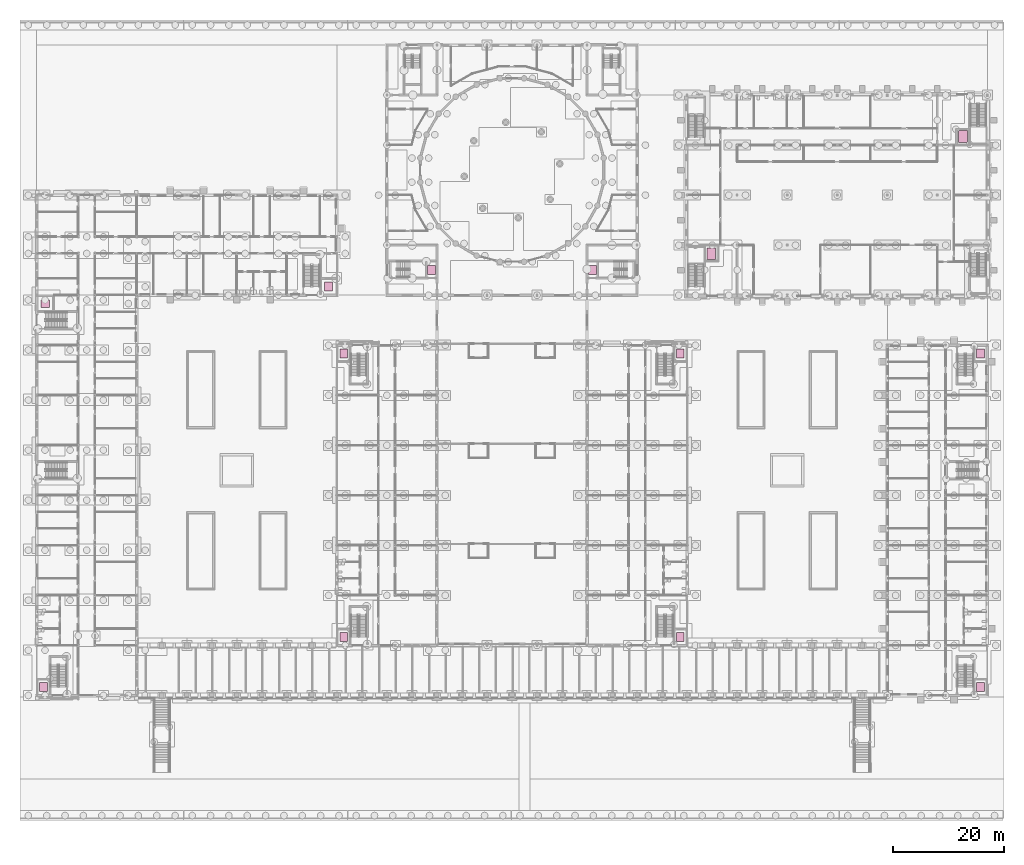
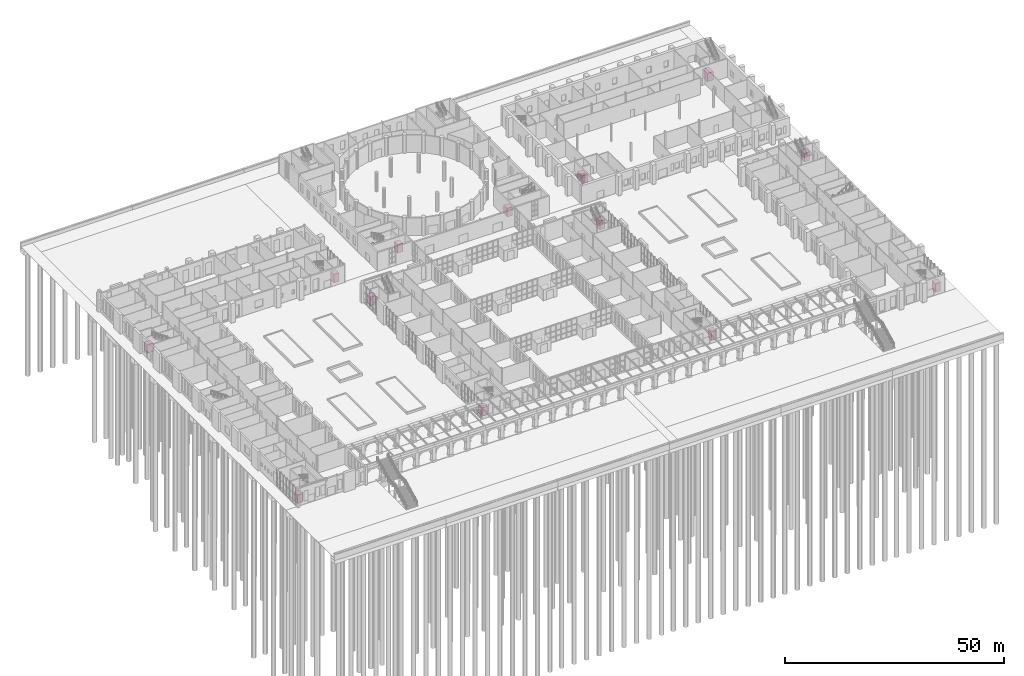
# One storey, part 168 of 168: 13 transport elements.
"""IFC4 building model written with IfcOpenShell, lengths in metres."""

from ifc_helpers import new_model, si_unit, direction, frame, origin, origin_2d, place, context, subcontext, project, spatial, rectangle, extrude, material, type_object, element, save


model = new_model("IFC4")

# Units and contexts
model_context = context("Model", 3, precision=1e-05, world=origin(), true_north=direction((0.0, 1.0)))
body_context = subcontext(model_context, "Body", "Model", "MODEL_VIEW")
ifc_project = project(units=[si_unit("LENGTHUNIT", "METRE"), si_unit("AREAUNIT", "SQUARE_METRE"), si_unit("VOLUMEUNIT", "CUBIC_METRE"), si_unit("PLANEANGLEUNIT", "RADIAN"), si_unit("MASSUNIT", "GRAM", prefix="KILO")], contexts=[model_context])

# Site, building, storey
site_placement = place(None, origin())
site = spatial("IfcSite", under=ifc_project, at=site_placement, CompositionType="ELEMENT")
building_placement = place(site_placement, origin())
building = spatial("IfcBuilding", under=site, at=building_placement, Name="Golden Quay Civic Hall", CompositionType="ELEMENT")
storey_placement = place(building_placement, origin())
storey = spatial("IfcBuildingStorey", under=building, at=storey_placement, Name="L00", CompositionType="ELEMENT", Elevation=0.0)

# Transport elements
ifc_material_1 = material(Name="Steel", Category="steel")
transport_element_type_1 = type_object("IfcTransportElementType", Name="Passenger lift 1000 kg 1400 x 1600", PredefinedType="ELEVATOR", material=ifc_material_1)
transport_element_1_placement = place(storey_placement, frame((1.22509765625, -7.5, 0.0), z_axis=(0.0, 0.0, 1.0), x_axis=(1.0, 0.0, 0.0)))
element("IfcTransportElement", 1, at=transport_element_1_placement, inside=storey, type_object=transport_element_type_1, Name="Lift WO-S", PredefinedType="ELEVATOR", context=body_context, shape_type="SweptSolid", body=[
    extrude(rectangle(XDim=1.39990234375, YDim=1.60009765625, at=origin_2d()), origin(), (0.0, 0.0, 1.0), 2.39990234375),
])
transport_element_2_placement = place(storey_placement, frame((1.550048828125, 61.47509765625, 0.0), z_axis=(0.0, 0.0, 1.0), x_axis=(1.0, 0.0, 0.0)))
element("IfcTransportElement", 2, at=transport_element_2_placement, inside=storey, type_object=transport_element_type_1, Name="Lift WO-N", PredefinedType="ELEVATOR", context=body_context, shape_type="SweptSolid", body=[
    extrude(rectangle(XDim=1.60009765625, YDim=1.39990234375, at=origin_2d()), origin(), (0.0, 0.0, 1.0), 2.39990234375),
])
for number, where, z_axis, x_axis, name in (
    (3, (52.487548828125, 64.550048828125, 0.0), (0.0, 0.0, 1.0), (1.0, 0.0, 0.0), "Lift NW-E"),
    (4, (55.22509765625, 1.5, 0.0), (0.0, 0.0, 1.0), (1.0, 0.0, 0.0), "Lift WM-S"),
    (5, (55.22509765625, 52.5, 0.0), (0.0, 0.0, 1.0), (1.0, 0.0, 0.0), "Lift WM-N"),
    (6, (115.77490234375, 1.5, 0.0), (0.0, 0.0, 1.0), (1.0, 0.0, 0.0), "Lift EM-S"),
    (7, (115.77490234375, 52.5, 0.0), (0.0, 0.0, 1.0), (1.0, 0.0, 0.0), "Lift EM-N"),
    (8, (169.77490234375, -7.5, 0.0), (0.0, 0.0, 1.0), (1.0, 0.0, 0.0), "Lift EO-S"),
    (9, (169.77490234375, 52.5, 0.0), (0.0, 0.0, 1.0), (1.0, 0.0, 0.0), "Lift EO-N"),
):
    element("IfcTransportElement", number, at=place(storey_placement, frame(where, z_axis=z_axis, x_axis=x_axis)), inside=storey, type_object=transport_element_type_1, Name=name, PredefinedType="ELEVATOR", context=body_context, shape_type="SweptSolid", body=[
        extrude(rectangle(XDim=1.39990234375, YDim=1.60009765625, at=origin_2d()), origin(), (0.0, 0.0, 1.0), 2.39990234375),
    ])
ifc_material_2 = material(Name="Steel", Category="steel")
transport_element_type_2 = type_object("IfcTransportElementType", Name="Passenger lift 2000 kg", PredefinedType="ELEVATOR", material=ifc_material_2)
for number, where, z_axis, x_axis, name in (
    (10, (121.35009765625, 70.449951171875, 0.0), (0.0, 0.0, 1.0), (1.0, 0.0, 0.0), "Passenger lift LB-W"),
    (11, (166.64990234375, 91.550048828125, 0.0), (0.0, 0.0, 1.0), (1.0, 0.0, 0.0), "Passenger lift LB-E"),
):
    element("IfcTransportElement", number, at=place(storey_placement, frame(where, z_axis=z_axis, x_axis=x_axis)), inside=storey, type_object=transport_element_type_2, Name=name, PredefinedType="ELEVATOR", context=body_context, shape_type="SweptSolid", body=[
        extrude(rectangle(XDim=1.60009765625, YDim=2.10009765625, at=origin_2d()), origin(), (0.0, 0.0, 1.0), 2.39990234375),
    ])
ifc_material_3 = material(Name="Steel", Category="steel")
transport_element_type_3 = type_object("IfcTransportElementType", Name="Passenger lift car 1400 x 1600", PredefinedType="ELEVATOR", material=ifc_material_3)
for number, where, z_axis, x_axis, name in (
    (12, (71.02490234375, 67.52490234375, 0.0), (0.0, 0.0, 1.0), (1.0, 0.0, 0.0), "Passenger lift SW"),
    (13, (99.97509765625, 67.52490234375, 0.0), (0.0, 0.0, 1.0), (1.0, 0.0, 0.0), "Passenger lift SE"),
):
    element("IfcTransportElement", number, at=place(storey_placement, frame(where, z_axis=z_axis, x_axis=x_axis)), inside=storey, type_object=transport_element_type_3, Name=name, PredefinedType="ELEVATOR", context=body_context, shape_type="SweptSolid", body=[
        extrude(rectangle(XDim=1.39990234375, YDim=1.60009765625, at=origin_2d()), origin(), (0.0, 0.0, 1.0), 2.39990234375),
    ])

save(model, "model.ifc")
